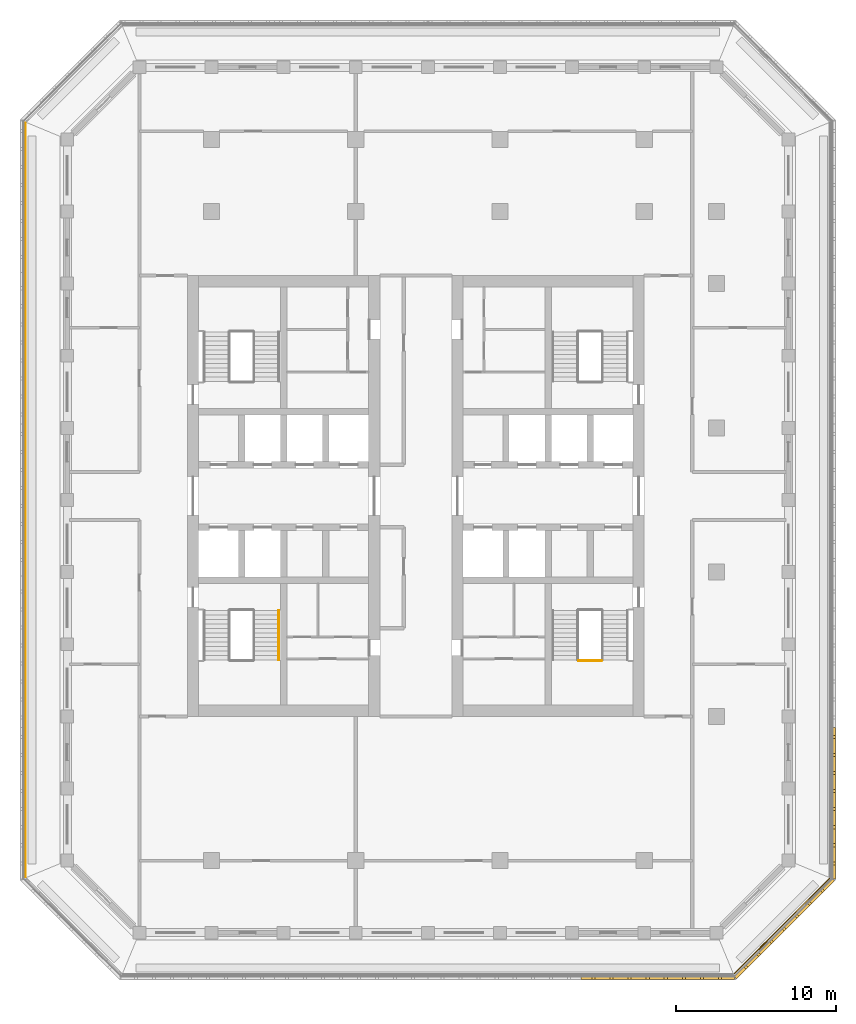
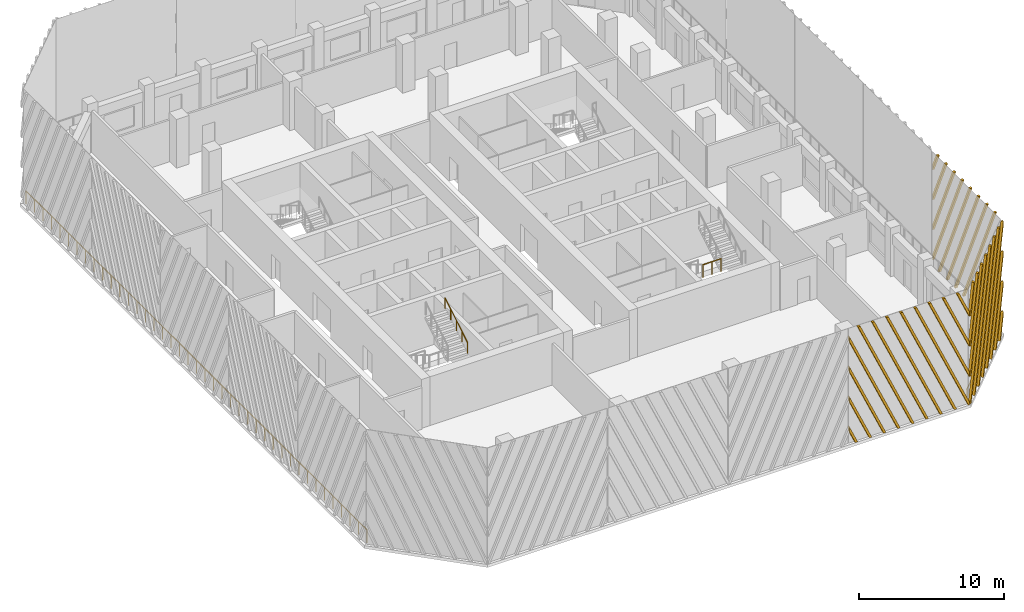
# One storey, part 11 of 17: 4 railings, 3 shading devices.
"""IFC4 building model written with IfcOpenShell, lengths in metres."""

from ifc_helpers import new_model, si_unit, direction, frame, origin, origin_2d, place, context, subcontext, project, spatial, polyline, circle, outline, extrude, source, transform, mapped, material, type_object, element, save


model = new_model("IFC4")

# Units and contexts
model_context = context("Model", 3, precision=1e-05, world=origin(), true_north=direction((0.0, 1.0)))
body_context = subcontext(model_context, "Body", "Model", "MODEL_VIEW")
ifc_project = project(units=[si_unit("LENGTHUNIT", "METRE"), si_unit("AREAUNIT", "SQUARE_METRE"), si_unit("VOLUMEUNIT", "CUBIC_METRE"), si_unit("PLANEANGLEUNIT", "RADIAN"), si_unit("MASSUNIT", "GRAM", prefix="KILO")], contexts=[model_context])

# Site, building, storey
site_placement = place(None, origin())
site = spatial("IfcSite", under=ifc_project, at=site_placement, CompositionType="ELEMENT")
building_placement = place(site_placement, origin())
building = spatial("IfcBuilding", under=site, at=building_placement, Name="Corbel Stack Research Tower", CompositionType="ELEMENT")
storey_placement = place(building_placement, frame((0.0, 0.0, 256.199951171875)))
storey = spatial("IfcBuildingStorey", under=building, at=storey_placement, Name="L58", CompositionType="ELEMENT", Elevation=256.199951171875)

# Railings
ifc_material_1 = material(Name="Steel S355", Category="steel")
railing_type_1 = type_object("IfcRailingType", Name="Stair guard 1100", PredefinedType="GUARDRAIL", material=ifc_material_1)
railing_1_placement = place(storey_placement, frame((13.89990234375, -5.530029296875, 2.050048828125)))
element("IfcRailing", 1, at=railing_1_placement, inside=storey, type_object=railing_type_1, Name="L58 ST-E1 stair guard 2", PredefinedType="GUARDRAIL", context=body_context, shape_type="SweptSolid", body=[
    extrude(circle(Radius=0.02392578125, at=origin_2d()), frame((0.0, 0.0, 1.076171875), z_axis=(1.0, 0.0, 0.0), x_axis=(0.0, 1.0, 0.0)), (0.0, 0.0, 1.0), 1.4501953125),
    extrude(circle(Radius=0.02099609375, at=origin_2d()), origin(), (0.0, 0.0, 1.0), 1.052001953125),
    extrude(circle(Radius=0.02099609375, at=origin_2d()), frame((0.72509765625, 0.0, 0.0)), (0.0, 0.0, 1.0), 1.052001953125),
    extrude(circle(Radius=0.02099609375, at=origin_2d()), frame((1.4501953125, 0.0, 0.0)), (0.0, 0.0, 1.0), 1.052001953125),
])
ifc_material_2 = material(Name="Steel S355", Category="steel")
railing_type_2 = type_object("IfcRailingType", Name="Stair handrail 900", PredefinedType="HANDRAIL", material=ifc_material_2)
railing_2_placement = place(storey_placement, frame((-4.800048828125, -5.47998046875, 2.220947265625)))
element("IfcRailing", 2, at=railing_2_placement, inside=storey, type_object=railing_type_2, Name="L58 ST-W1 stair handrail 2", PredefinedType="HANDRAIL", context=body_context, shape_type="SweptSolid", body=[
    extrude(circle(Radius=0.02392578125, at=origin_2d()), frame((0.0, 0.0, 0.8759765625), z_axis=(0.0, 0.853666305674, 0.52082035152), x_axis=(-1.0, 0.0, 0.0)), (0.0, 0.0, 1.0), 3.608154296875),
    extrude(circle(Radius=0.02099609375, at=origin_2d()), origin(), (0.0, 0.0, 1.0), 0.851806640625),
    extrude(circle(Radius=0.02099609375, at=origin_2d()), frame((0.0, 0.77001953125, 0.4697265625)), (0.0, 0.0, 1.0), 0.851806640625),
    extrude(circle(Radius=0.02099609375, at=origin_2d()), frame((0.0, 1.5400390625, 0.939453125)), (0.0, 0.0, 1.0), 0.851806640625),
    extrude(circle(Radius=0.02099609375, at=origin_2d()), frame((0.0, 2.31005859375, 1.409423828125)), (0.0, 0.0, 1.0), 0.851806640625),
    extrude(circle(Radius=0.02099609375, at=origin_2d()), frame((0.0, 3.080078125, 1.879150390625)), (0.0, 0.0, 1.0), 0.851806640625),
])
ifc_material_3 = material(Name="Powder-coated steel guard", Category="steel")
railing_type_3 = type_object("IfcRailingType", Name="Steel and glass guard 1100", PredefinedType="GUARDRAIL", material=ifc_material_3)
railing_3_placement = place(storey_placement, frame((23.627685546875, -25.04931640625, 0.0)))
element("IfcRailing", 3, at=railing_3_placement, inside=storey, type_object=railing_type_3, Name="Loggia guard L58 SE", PredefinedType="GUARDRAIL", context=body_context, shape_type="SweptSolid", body=[
    extrude(circle(Radius=0.02392578125, at=origin_2d()), frame((0.0, 0.0, 1.076171875), z_axis=(0.707106781187, 0.707106781187, 0.0), x_axis=(-0.707106781187, 0.707106781187, 0.0)), (0.0, 0.0, 1.0), 8.37451171875),
    extrude(circle(Radius=0.02099609375, at=origin_2d()), origin(), (0.0, 0.0, 1.0), 1.052001953125),
    extrude(circle(Radius=0.02099609375, at=origin_2d()), frame((0.845947265625, 0.845947265625, 0.0)), (0.0, 0.0, 1.0), 1.052001953125),
    extrude(circle(Radius=0.02099609375, at=origin_2d()), frame((1.69189453125, 1.69189453125, 0.0)), (0.0, 0.0, 1.0), 1.052001953125),
    extrude(circle(Radius=0.02099609375, at=origin_2d()), frame((2.537841796875, 2.537841796875, 0.0)), (0.0, 0.0, 1.0), 1.052001953125),
    extrude(circle(Radius=0.02099609375, at=origin_2d()), frame((3.3837890625, 3.3837890625, 0.0)), (0.0, 0.0, 1.0), 1.052001953125),
    extrude(circle(Radius=0.02099609375, at=origin_2d()), frame((4.229736328125, 4.229736328125, 0.0)), (0.0, 0.0, 1.0), 1.052001953125),
    extrude(circle(Radius=0.02099609375, at=origin_2d()), frame((5.07568359375, 5.07568359375, 0.0)), (0.0, 0.0, 1.0), 1.052001953125),
    extrude(circle(Radius=0.02099609375, at=origin_2d()), frame((5.921630859375, 5.921630859375, 0.0)), (0.0, 0.0, 1.0), 1.052001953125),
])
railing_4_placement = place(storey_placement, frame((-20.60009765625, 28.00537109375, 0.0)))
element("IfcRailing", 4, at=railing_4_placement, inside=storey, type_object=railing_type_3, Name="Loggia guard L58 W", PredefinedType="GUARDRAIL", context=body_context, shape_type="SweptSolid", body=[
    extrude(circle(Radius=0.02392578125, at=origin_2d()), frame((0.0, 0.0, 1.076171875), z_axis=(0.0, -1.0, 0.0), x_axis=(1.0, 0.0, 0.0)), (0.0, 0.0, 1.0), 47.0107421875),
    extrude(circle(Radius=0.02099609375, at=origin_2d()), origin(), (0.0, 0.0, 1.0), 1.052001953125),
    extrude(circle(Radius=0.02099609375, at=origin_2d()), frame((0.0, -1.17529296875, 0.0)), (0.0, 0.0, 1.0), 1.052001953125),
    extrude(circle(Radius=0.02099609375, at=origin_2d()), frame((0.0, -2.3505859375, 0.0)), (0.0, 0.0, 1.0), 1.052001953125),
    extrude(circle(Radius=0.02099609375, at=origin_2d()), frame((0.0, -3.52587890625, 0.0)), (0.0, 0.0, 1.0), 1.052001953125),
    extrude(circle(Radius=0.02099609375, at=origin_2d()), frame((0.0, -4.701171875, 0.0)), (0.0, 0.0, 1.0), 1.052001953125),
    extrude(circle(Radius=0.02099609375, at=origin_2d()), frame((0.0, -5.87646484375, 0.0)), (0.0, 0.0, 1.0), 1.052001953125),
    extrude(circle(Radius=0.02099609375, at=origin_2d()), frame((0.0, -7.051513671875, 0.0)), (0.0, 0.0, 1.0), 1.052001953125),
    extrude(circle(Radius=0.02099609375, at=origin_2d()), frame((0.0, -8.226806640625, 0.0)), (0.0, 0.0, 1.0), 1.052001953125),
    extrude(circle(Radius=0.02099609375, at=origin_2d()), frame((0.0, -9.402099609375, 0.0)), (0.0, 0.0, 1.0), 1.052001953125),
    extrude(circle(Radius=0.02099609375, at=origin_2d()), frame((0.0, -10.577392578125, 0.0)), (0.0, 0.0, 1.0), 1.052001953125),
    extrude(circle(Radius=0.02099609375, at=origin_2d()), frame((0.0, -11.752685546875, 0.0)), (0.0, 0.0, 1.0), 1.052001953125),
    extrude(circle(Radius=0.02099609375, at=origin_2d()), frame((0.0, -12.927978515625, 0.0)), (0.0, 0.0, 1.0), 1.052001953125),
    extrude(circle(Radius=0.02099609375, at=origin_2d()), frame((0.0, -14.103271484375, 0.0)), (0.0, 0.0, 1.0), 1.052001953125),
    extrude(circle(Radius=0.02099609375, at=origin_2d()), frame((0.0, -15.278564453125, 0.0)), (0.0, 0.0, 1.0), 1.052001953125),
    extrude(circle(Radius=0.02099609375, at=origin_2d()), frame((0.0, -16.453857421875, 0.0)), (0.0, 0.0, 1.0), 1.052001953125),
    extrude(circle(Radius=0.02099609375, at=origin_2d()), frame((0.0, -17.62890625, 0.0)), (0.0, 0.0, 1.0), 1.052001953125),
    extrude(circle(Radius=0.02099609375, at=origin_2d()), frame((0.0, -18.80419921875, 0.0)), (0.0, 0.0, 1.0), 1.052001953125),
    extrude(circle(Radius=0.02099609375, at=origin_2d()), frame((0.0, -19.9794921875, 0.0)), (0.0, 0.0, 1.0), 1.052001953125),
    extrude(circle(Radius=0.02099609375, at=origin_2d()), frame((0.0, -21.15478515625, 0.0)), (0.0, 0.0, 1.0), 1.052001953125),
    extrude(circle(Radius=0.02099609375, at=origin_2d()), frame((0.0, -22.330078125, 0.0)), (0.0, 0.0, 1.0), 1.052001953125),
    extrude(circle(Radius=0.02099609375, at=origin_2d()), frame((0.0, -23.50537109375, 0.0)), (0.0, 0.0, 1.0), 1.052001953125),
    extrude(circle(Radius=0.02099609375, at=origin_2d()), frame((0.0, -24.6806640625, 0.0)), (0.0, 0.0, 1.0), 1.052001953125),
    extrude(circle(Radius=0.02099609375, at=origin_2d()), frame((0.0, -25.85595703125, 0.0)), (0.0, 0.0, 1.0), 1.052001953125),
    extrude(circle(Radius=0.02099609375, at=origin_2d()), frame((0.0, -27.03125, 0.0)), (0.0, 0.0, 1.0), 1.052001953125),
    extrude(circle(Radius=0.02099609375, at=origin_2d()), frame((0.0, -28.20654296875, 0.0)), (0.0, 0.0, 1.0), 1.052001953125),
    extrude(circle(Radius=0.02099609375, at=origin_2d()), frame((0.0, -29.3818359375, 0.0)), (0.0, 0.0, 1.0), 1.052001953125),
    extrude(circle(Radius=0.02099609375, at=origin_2d()), frame((0.0, -30.556884765625, 0.0)), (0.0, 0.0, 1.0), 1.052001953125),
    extrude(circle(Radius=0.02099609375, at=origin_2d()), frame((0.0, -31.732177734375, 0.0)), (0.0, 0.0, 1.0), 1.052001953125),
    extrude(circle(Radius=0.02099609375, at=origin_2d()), frame((0.0, -32.907470703125, 0.0)), (0.0, 0.0, 1.0), 1.052001953125),
    extrude(circle(Radius=0.02099609375, at=origin_2d()), frame((0.0, -34.082763671875, 0.0)), (0.0, 0.0, 1.0), 1.052001953125),
    extrude(circle(Radius=0.02099609375, at=origin_2d()), frame((0.0, -35.258056640625, 0.0)), (0.0, 0.0, 1.0), 1.052001953125),
    extrude(circle(Radius=0.02099609375, at=origin_2d()), frame((0.0, -36.433349609375, 0.0)), (0.0, 0.0, 1.0), 1.052001953125),
    extrude(circle(Radius=0.02099609375, at=origin_2d()), frame((0.0, -37.608642578125, 0.0)), (0.0, 0.0, 1.0), 1.052001953125),
    extrude(circle(Radius=0.02099609375, at=origin_2d()), frame((0.0, -38.783935546875, 0.0)), (0.0, 0.0, 1.0), 1.052001953125),
    extrude(circle(Radius=0.02099609375, at=origin_2d()), frame((0.0, -39.959228515625, 0.0)), (0.0, 0.0, 1.0), 1.052001953125),
    extrude(circle(Radius=0.02099609375, at=origin_2d()), frame((0.0, -41.13427734375, 0.0)), (0.0, 0.0, 1.0), 1.052001953125),
    extrude(circle(Radius=0.02099609375, at=origin_2d()), frame((0.0, -42.3095703125, 0.0)), (0.0, 0.0, 1.0), 1.052001953125),
    extrude(circle(Radius=0.02099609375, at=origin_2d()), frame((0.0, -43.48486328125, 0.0)), (0.0, 0.0, 1.0), 1.052001953125),
    extrude(circle(Radius=0.02099609375, at=origin_2d()), frame((0.0, -44.66015625, 0.0)), (0.0, 0.0, 1.0), 1.052001953125),
    extrude(circle(Radius=0.02099609375, at=origin_2d()), frame((0.0, -45.83544921875, 0.0)), (0.0, 0.0, 1.0), 1.052001953125),
    extrude(circle(Radius=0.02099609375, at=origin_2d()), frame((0.0, -47.0107421875, 0.0)), (0.0, 0.0, 1.0), 1.052001953125),
])

# Shading devices
ifc_material_4 = material(Name="Precast terracotta", Category="masonry")
shading_device_type = type_object("IfcShadingDeviceType", Name="Terracotta screen panel", PredefinedType="USERDEFINED", material=ifc_material_4)
shared_shape_1 = source(origin(), body_context, "Body", "SweptSolid", [
    extrude(outline(polyline([(0.66455078125, 0.0), (0.0, 1.49267578125), (0.0, 1.06591796875), (0.474609375, 0.0), (0.66455078125, 0.0)])), frame((0.0, 0.0, 0.0), z_axis=(0.0, -1.0, 0.0), x_axis=(1.0, 0.0, 0.0)), (0.0, 0.0, 1.0), 0.179931640625),
    extrude(outline(polyline([(1.78955078125, 0.0), (0.0, 4.019287109375), (0.0, 3.592529296875), (1.599609375, 0.0), (1.78955078125, 0.0)])), frame((0.0, 0.0, 0.0), z_axis=(0.0, -1.0, 0.0), x_axis=(1.0, 0.0, 0.0)), (0.0, 0.0, 1.0), 0.179931640625),
    extrude(outline(polyline([(2.91455078125, 0.0), (0.0, 6.546142578125), (0.0, 6.119384765625), (2.724609375, 0.0), (2.91455078125, 0.0)])), frame((0.0, 0.0, 0.0), z_axis=(0.0, -1.0, 0.0), x_axis=(1.0, 0.0, 0.0)), (0.0, 0.0, 1.0), 0.179931640625),
    extrude(outline(polyline([(4.03955078125, 0.0), (0.0, 9.072998046875), (0.0, 8.646240234375), (3.849609375, 0.0), (4.03955078125, 0.0)])), frame((0.0, 0.0, 0.0), z_axis=(0.0, -1.0, 0.0), x_axis=(1.0, 0.0, 0.0)), (0.0, 0.0, 1.0), 0.179931640625),
    extrude(outline(polyline([(5.16455078125, 0.0), (0.8681640625, 9.64990234375), (0.677978515625, 9.64990234375), (4.974609375, 0.0), (5.16455078125, 0.0)])), frame((0.0, 0.0, 0.0), z_axis=(0.0, -1.0, 0.0), x_axis=(1.0, 0.0, 0.0)), (0.0, 0.0, 1.0), 0.179931640625),
    extrude(outline(polyline([(6.28955078125, 0.0), (1.9931640625, 9.64990234375), (1.802978515625, 9.64990234375), (6.099609375, 0.0), (6.28955078125, 0.0)])), frame((0.0, 0.0, 0.0), z_axis=(0.0, -1.0, 0.0), x_axis=(1.0, 0.0, 0.0)), (0.0, 0.0, 1.0), 0.179931640625),
    extrude(outline(polyline([(7.41455078125, 0.0), (3.1181640625, 9.64990234375), (2.927978515625, 9.64990234375), (7.224609375, 0.0), (7.41455078125, 0.0)])), frame((0.0, 0.0, 0.0), z_axis=(0.0, -1.0, 0.0), x_axis=(1.0, 0.0, 0.0)), (0.0, 0.0, 1.0), 0.179931640625),
    extrude(outline(polyline([(8.53955078125, 0.0), (4.2431640625, 9.64990234375), (4.052978515625, 9.64990234375), (8.349609375, 0.0), (8.53955078125, 0.0)])), frame((0.0, 0.0, 0.0), z_axis=(0.0, -1.0, 0.0), x_axis=(1.0, 0.0, 0.0)), (0.0, 0.0, 1.0), 0.179931640625),
    extrude(outline(polyline([(9.569580078125, 0.0), (9.569580078125, 0.21337890625), (5.3681640625, 9.64990234375), (5.177978515625, 9.64990234375), (9.474609375, 0.0), (9.569580078125, 0.0)])), frame((0.0, 0.0, 0.0), z_axis=(0.0, -1.0, 0.0), x_axis=(1.0, 0.0, 0.0)), (0.0, 0.0, 1.0), 0.179931640625),
    extrude(outline(polyline([(6.4931640625, 9.64990234375), (6.302978515625, 9.64990234375), (9.569580078125, 2.3134765625), (9.569580078125, 2.740234375), (6.4931640625, 9.64990234375)])), frame((0.0, 0.0, 0.0), z_axis=(0.0, -1.0, 0.0), x_axis=(1.0, 0.0, 0.0)), (0.0, 0.0, 1.0), 0.179931640625),
    extrude(outline(polyline([(7.6181640625, 9.64990234375), (7.427978515625, 9.64990234375), (9.569580078125, 4.840087890625), (9.569580078125, 5.26708984375), (7.6181640625, 9.64990234375)])), frame((0.0, 0.0, 0.0), z_axis=(0.0, -1.0, 0.0), x_axis=(1.0, 0.0, 0.0)), (0.0, 0.0, 1.0), 0.179931640625),
    extrude(outline(polyline([(8.7431640625, 9.64990234375), (8.552978515625, 9.64990234375), (9.569580078125, 7.366943359375), (9.569580078125, 7.793701171875), (8.7431640625, 9.64990234375)])), frame((0.0, 0.0, 0.0), z_axis=(0.0, -1.0, 0.0), x_axis=(1.0, 0.0, 0.0)), (0.0, 0.0, 1.0), 0.179931640625),
])
shading_device_1_placement = place(storey_placement, frame((14.069580078125, -25.25, 0.0), z_axis=(0.0, 0.0, 1.0), x_axis=(1.0, 0.0, 0.0)))
element("IfcShadingDevice", 5, at=shading_device_1_placement, inside=storey, type_object=shading_device_type, Name="Terracotta screen L58 S4", ObjectType="SCREEN", PredefinedType="USERDEFINED", context=body_context, shape_type="MappedRepresentation", body=[
    mapped(shared_shape_1, transform((0.0, 0.0, 0.0))),
])
shared_shape_2 = source(origin(), body_context, "Body", "SweptSolid", [
    extrude(outline(polyline([(1.0166015625, 9.64990234375), (0.826416015625, 9.64990234375), (0.0, 7.793701171875), (0.0, 7.366943359375), (1.0166015625, 9.64990234375)])), frame((0.0, 0.0, 0.0), z_axis=(0.0, -1.0, 0.0), x_axis=(1.0, 0.0, 0.0)), (0.0, 0.0, 1.0), 0.179931640625),
    extrude(outline(polyline([(2.1416015625, 9.64990234375), (1.951416015625, 9.64990234375), (0.0, 5.26708984375), (0.0, 4.840087890625), (2.1416015625, 9.64990234375)])), frame((0.0, 0.0, 0.0), z_axis=(0.0, -1.0, 0.0), x_axis=(1.0, 0.0, 0.0)), (0.0, 0.0, 1.0), 0.179931640625),
    extrude(outline(polyline([(3.2666015625, 9.64990234375), (3.076416015625, 9.64990234375), (0.0, 2.740234375), (0.0, 2.3134765625), (3.2666015625, 9.64990234375)])), frame((0.0, 0.0, 0.0), z_axis=(0.0, -1.0, 0.0), x_axis=(1.0, 0.0, 0.0)), (0.0, 0.0, 1.0), 0.179931640625),
    extrude(outline(polyline([(0.094970703125, 0.0), (4.3916015625, 9.64990234375), (4.201416015625, 9.64990234375), (0.0, 0.21337890625), (0.0, 0.0), (0.094970703125, 0.0)])), frame((0.0, 0.0, 0.0), z_axis=(0.0, -1.0, 0.0), x_axis=(1.0, 0.0, 0.0)), (0.0, 0.0, 1.0), 0.179931640625),
    extrude(outline(polyline([(1.219970703125, 0.0), (5.5166015625, 9.64990234375), (5.326416015625, 9.64990234375), (1.030029296875, 0.0), (1.219970703125, 0.0)])), frame((0.0, 0.0, 0.0), z_axis=(0.0, -1.0, 0.0), x_axis=(1.0, 0.0, 0.0)), (0.0, 0.0, 1.0), 0.179931640625),
    extrude(outline(polyline([(2.344970703125, 0.0), (6.6416015625, 9.64990234375), (6.451416015625, 9.64990234375), (2.155029296875, 0.0), (2.344970703125, 0.0)])), frame((0.0, 0.0, 0.0), z_axis=(0.0, -1.0, 0.0), x_axis=(1.0, 0.0, 0.0)), (0.0, 0.0, 1.0), 0.179931640625),
    extrude(outline(polyline([(3.469970703125, 0.0), (7.7666015625, 9.64990234375), (7.576416015625, 9.64990234375), (3.280029296875, 0.0), (3.469970703125, 0.0)])), frame((0.0, 0.0, 0.0), z_axis=(0.0, -1.0, 0.0), x_axis=(1.0, 0.0, 0.0)), (0.0, 0.0, 1.0), 0.179931640625),
    extrude(outline(polyline([(4.594970703125, 0.0), (8.64208984375, 9.090087890625), (8.64208984375, 9.516845703125), (4.405029296875, 0.0), (4.594970703125, 0.0)])), frame((0.0, 0.0, 0.0), z_axis=(0.0, -1.0, 0.0), x_axis=(1.0, 0.0, 0.0)), (0.0, 0.0, 1.0), 0.179931640625),
    extrude(outline(polyline([(5.719970703125, 0.0), (8.64208984375, 6.563232421875), (8.64208984375, 6.989990234375), (5.530029296875, 0.0), (5.719970703125, 0.0)])), frame((0.0, 0.0, 0.0), z_axis=(0.0, -1.0, 0.0), x_axis=(1.0, 0.0, 0.0)), (0.0, 0.0, 1.0), 0.179931640625),
    extrude(outline(polyline([(6.844970703125, 0.0), (8.64208984375, 4.036376953125), (8.64208984375, 4.463134765625), (6.655029296875, 0.0), (6.844970703125, 0.0)])), frame((0.0, 0.0, 0.0), z_axis=(0.0, -1.0, 0.0), x_axis=(1.0, 0.0, 0.0)), (0.0, 0.0, 1.0), 0.179931640625),
    extrude(outline(polyline([(7.969970703125, 0.0), (8.64208984375, 1.509521484375), (8.64208984375, 1.936279296875), (7.780029296875, 0.0), (7.969970703125, 0.0)])), frame((0.0, 0.0, 0.0), z_axis=(0.0, -1.0, 0.0), x_axis=(1.0, 0.0, 0.0)), (0.0, 0.0, 1.0), 0.179931640625),
])
shading_device_2_placement = place(storey_placement, frame((23.63916015625, -25.25, 0.0), z_axis=(0.0, 0.0, 1.0), x_axis=(0.707106781187, 0.707106781187, 0.0)))
element("IfcShadingDevice", 6, at=shading_device_2_placement, inside=storey, type_object=shading_device_type, Name="Terracotta screen L58 SE1", ObjectType="SCREEN", PredefinedType="USERDEFINED", context=body_context, shape_type="MappedRepresentation", body=[
    mapped(shared_shape_2, transform((0.0, 0.0, 0.0))),
])
shared_shape_3 = source(origin(), body_context, "Body", "SweptSolid", [
    extrude(outline(polyline([(0.862060546875, 0.0), (0.0, 1.936279296875), (0.0, 1.509521484375), (0.672119140625, 0.0), (0.862060546875, 0.0)])), frame((0.0, 0.0, 0.0), z_axis=(0.0, -1.0, 0.0), x_axis=(1.0, 0.0, 0.0)), (0.0, 0.0, 1.0), 0.179931640625),
    extrude(outline(polyline([(1.987060546875, 0.0), (0.0, 4.463134765625), (0.0, 4.036376953125), (1.797119140625, 0.0), (1.987060546875, 0.0)])), frame((0.0, 0.0, 0.0), z_axis=(0.0, -1.0, 0.0), x_axis=(1.0, 0.0, 0.0)), (0.0, 0.0, 1.0), 0.179931640625),
    extrude(outline(polyline([(3.112060546875, 0.0), (0.0, 6.989990234375), (0.0, 6.563232421875), (2.922119140625, 0.0), (3.112060546875, 0.0)])), frame((0.0, 0.0, 0.0), z_axis=(0.0, -1.0, 0.0), x_axis=(1.0, 0.0, 0.0)), (0.0, 0.0, 1.0), 0.179931640625),
    extrude(outline(polyline([(4.237060546875, 0.0), (0.0, 9.516845703125), (0.0, 9.090087890625), (4.047119140625, 0.0), (4.237060546875, 0.0)])), frame((0.0, 0.0, 0.0), z_axis=(0.0, -1.0, 0.0), x_axis=(1.0, 0.0, 0.0)), (0.0, 0.0, 1.0), 0.179931640625),
    extrude(outline(polyline([(5.362060546875, 0.0), (1.065673828125, 9.64990234375), (0.875732421875, 9.64990234375), (5.172119140625, 0.0), (5.362060546875, 0.0)])), frame((0.0, 0.0, 0.0), z_axis=(0.0, -1.0, 0.0), x_axis=(1.0, 0.0, 0.0)), (0.0, 0.0, 1.0), 0.179931640625),
    extrude(outline(polyline([(6.487060546875, 0.0), (2.190673828125, 9.64990234375), (2.000732421875, 9.64990234375), (6.297119140625, 0.0), (6.487060546875, 0.0)])), frame((0.0, 0.0, 0.0), z_axis=(0.0, -1.0, 0.0), x_axis=(1.0, 0.0, 0.0)), (0.0, 0.0, 1.0), 0.179931640625),
    extrude(outline(polyline([(7.612060546875, 0.0), (3.315673828125, 9.64990234375), (3.125732421875, 9.64990234375), (7.422119140625, 0.0), (7.612060546875, 0.0)])), frame((0.0, 0.0, 0.0), z_axis=(0.0, -1.0, 0.0), x_axis=(1.0, 0.0, 0.0)), (0.0, 0.0, 1.0), 0.179931640625),
    extrude(outline(polyline([(8.737060546875, 0.0), (4.440673828125, 9.64990234375), (4.250732421875, 9.64990234375), (8.547119140625, 0.0), (8.737060546875, 0.0)])), frame((0.0, 0.0, 0.0), z_axis=(0.0, -1.0, 0.0), x_axis=(1.0, 0.0, 0.0)), (0.0, 0.0, 1.0), 0.179931640625),
    extrude(outline(polyline([(5.565673828125, 9.64990234375), (5.375732421875, 9.64990234375), (9.45556640625, 0.486328125), (9.45556640625, 0.9130859375), (5.565673828125, 9.64990234375)])), frame((0.0, 0.0, 0.0), z_axis=(0.0, -1.0, 0.0), x_axis=(1.0, 0.0, 0.0)), (0.0, 0.0, 1.0), 0.179931640625),
    extrude(outline(polyline([(6.690673828125, 9.64990234375), (6.500732421875, 9.64990234375), (9.45556640625, 3.01318359375), (9.45556640625, 3.439697265625), (6.690673828125, 9.64990234375)])), frame((0.0, 0.0, 0.0), z_axis=(0.0, -1.0, 0.0), x_axis=(1.0, 0.0, 0.0)), (0.0, 0.0, 1.0), 0.179931640625),
    extrude(outline(polyline([(7.815673828125, 9.64990234375), (7.625732421875, 9.64990234375), (9.45556640625, 5.539794921875), (9.45556640625, 5.966552734375), (7.815673828125, 9.64990234375)])), frame((0.0, 0.0, 0.0), z_axis=(0.0, -1.0, 0.0), x_axis=(1.0, 0.0, 0.0)), (0.0, 0.0, 1.0), 0.179931640625),
    extrude(outline(polyline([(8.940673828125, 9.64990234375), (8.750732421875, 9.64990234375), (9.45556640625, 8.066650390625), (9.45556640625, 8.493408203125), (8.940673828125, 9.64990234375)])), frame((0.0, 0.0, 0.0), z_axis=(0.0, -1.0, 0.0), x_axis=(1.0, 0.0, 0.0)), (0.0, 0.0, 1.0), 0.179931640625),
])
shading_device_3_placement = place(storey_placement, frame((29.75, -19.13916015625, 0.0), z_axis=(0.0, 0.0, 1.0), x_axis=(0.0, 1.0, 0.0)))
element("IfcShadingDevice", 7, at=shading_device_3_placement, inside=storey, type_object=shading_device_type, Name="Terracotta screen L58 E1", ObjectType="SCREEN", PredefinedType="USERDEFINED", context=body_context, shape_type="MappedRepresentation", body=[
    mapped(shared_shape_3, transform((0.0, 0.0, 0.0))),
])

save(model, "model.ifc")
